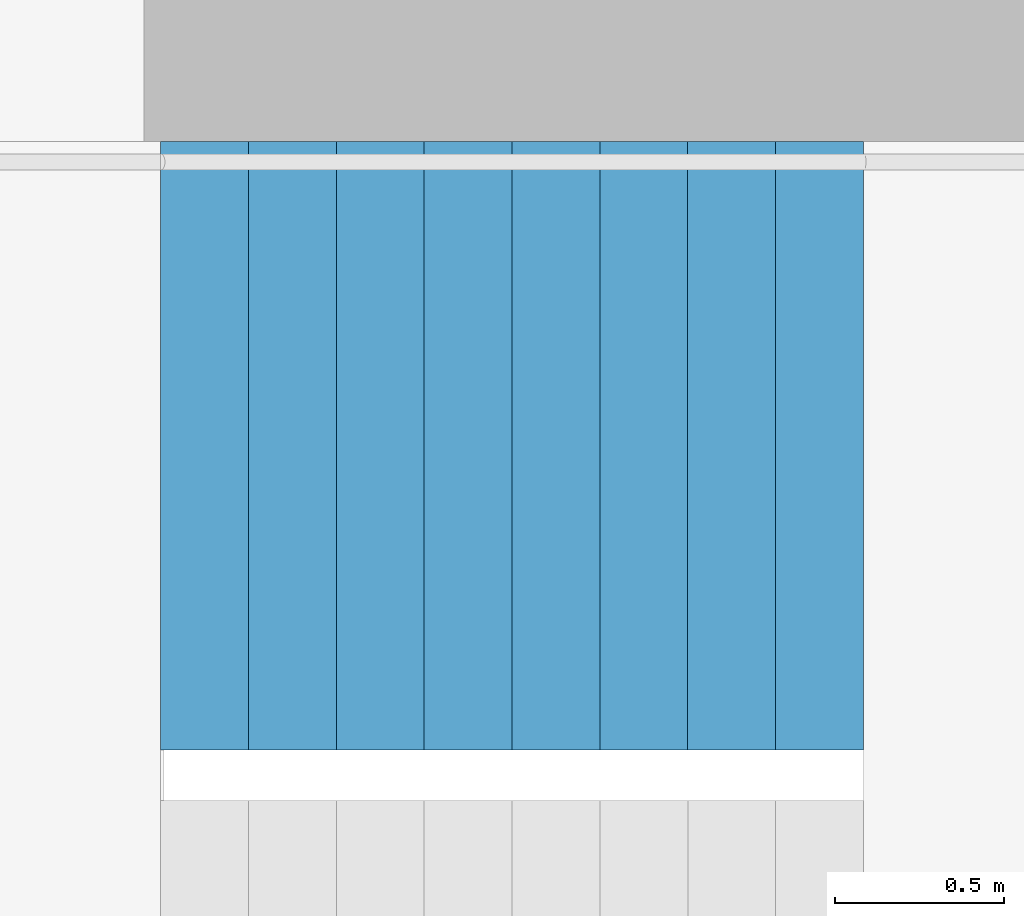
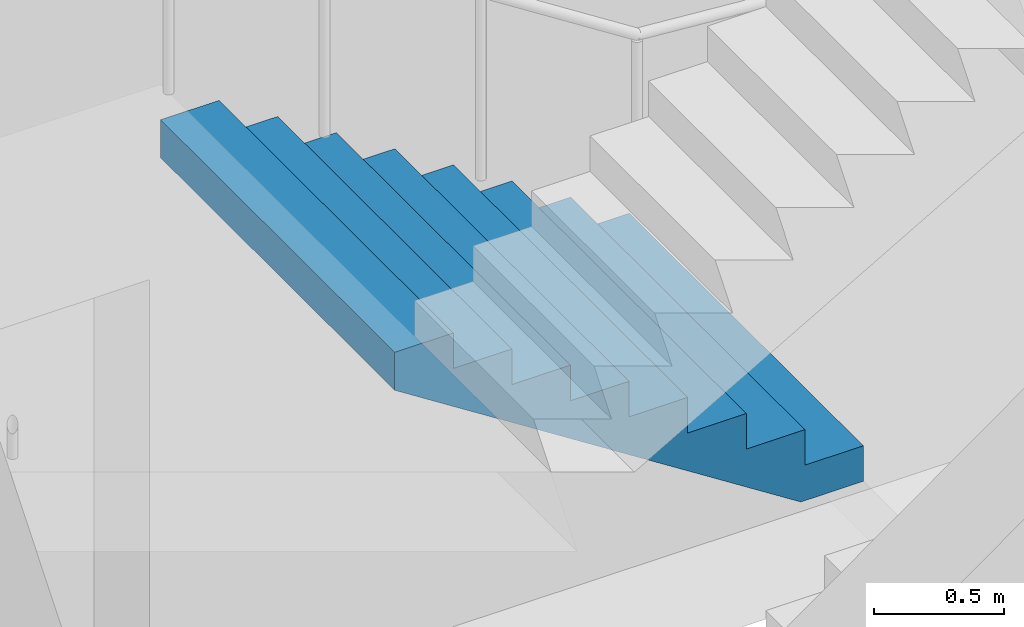
# One storey, part 24 of 35: 1 stair flight, 1 element without a shape of its own.
"""IFC4 building model written with IfcOpenShell, lengths in metres."""

from ifc_helpers import new_model, si_unit, direction, frame, origin, place, context, subcontext, project, spatial, triangles, material, type_object, element, aggregate, save


model = new_model("IFC4")

# Units and contexts
model_context = context("Model", 3, precision=1e-05, world=origin(), true_north=direction((0.0, 1.0)))
body_context = subcontext(model_context, "Body", "Model", "MODEL_VIEW")
ifc_project = project(units=[si_unit("LENGTHUNIT", "METRE"), si_unit("AREAUNIT", "SQUARE_METRE"), si_unit("VOLUMEUNIT", "CUBIC_METRE"), si_unit("PLANEANGLEUNIT", "RADIAN"), si_unit("MASSUNIT", "GRAM", prefix="KILO")], contexts=[model_context])

# Site, building, storey
site_placement = place(None, origin())
site = spatial("IfcSite", under=ifc_project, at=site_placement, CompositionType="ELEMENT")
building_placement = place(site_placement, origin())
building = spatial("IfcBuilding", under=site, at=building_placement, Name="Hakoniwa Tower and Hamabe Station Hall", CompositionType="ELEMENT")
storey_placement = place(building_placement, frame((0.0, 0.0, 270.60009765625)))
storey = spatial("IfcBuildingStorey", under=building, at=storey_placement, Name="L76", CompositionType="ELEMENT", Elevation=270.60009765625)

# Stair, stair flight
ifc_material_1 = material(Name="Concrete C40", Category="concrete")
stair_type = type_object("IfcStairType", Name="ESCAPE STAIR 1800", PredefinedType="HALF_TURN_STAIR", material=ifc_material_1)
stair_placement = place(storey_placement, origin())
stair = element("IfcStair", 1, at=stair_placement, inside=storey, type_object=stair_type, Name="Escape stair ST-1 L76", PredefinedType="HALF_TURN_STAIR")
ifc_material_2 = material(Name="Concrete C40", Category="concrete")
stair_flight_type = type_object("IfcStairFlightType", Name="STAIR FLIGHT 1800", PredefinedType="STRAIGHT", material=ifc_material_2)
stair_flight_placement = place(storey_placement, frame((-22.320068359375, 6.60009765625, 1.5), z_axis=(0.0, 0.0, 1.0), x_axis=(-1.0, 0.0, 0.0)))
stair_flight = element("IfcStairFlight", 2, at=stair_flight_placement, type_object=stair_flight_type, Name="ST-1 flight 2", NumberOfRisers=9, NumberOfTreads=8, PredefinedType="STRAIGHT", RiserHeight=0.166666667, TreadLength=0.26, context=body_context, shape_type="Tessellation", body=[
    triangles([(0.0, 0.89990234375, 0.0), (0.260009765625, 0.89990234375, 0.0), (0.27783203125, 0.89990234375, 0.0), (0.52001953125, 0.89990234375, 0.1552734375), (0.780029296875, 0.89990234375, 0.322021484375), (1.0400390625, 0.89990234375, 0.488525390625), (1.300048828125, 0.89990234375, 0.6552734375), (1.56005859375, 0.89990234375, 0.822021484375), (1.820068359375, 0.89990234375, 0.988525390625), (2.080078125, 0.89990234375, 1.1552734375), (2.080078125, 0.89990234375, 1.333251953125), (1.820068359375, 0.89990234375, 1.333251953125), (1.820068359375, 0.89990234375, 1.166748046875), (1.56005859375, 0.89990234375, 1.166748046875), (1.56005859375, 0.89990234375, 1.0), (1.300048828125, 0.89990234375, 1.0), (1.300048828125, 0.89990234375, 0.833251953125), (1.0400390625, 0.89990234375, 0.833251953125), (1.0400390625, 0.89990234375, 0.666748046875), (0.780029296875, 0.89990234375, 0.666748046875), (0.780029296875, 0.89990234375, 0.5), (0.52001953125, 0.89990234375, 0.5), (0.52001953125, 0.89990234375, 0.333251953125), (0.27783203125, 0.89990234375, 0.333251953125), (0.260009765625, 0.89990234375, 0.333251953125), (0.260009765625, 0.89990234375, 0.166748046875), (0.0, 0.89990234375, 0.166748046875), (0.0, 0.06005859375, 0.0), (0.260009765625, 0.06005859375, 0.0), (0.27783203125, 0.06005859375, 0.0), (0.52001953125, 0.06005859375, 0.1552734375), (0.780029296875, 0.06005859375, 0.322021484375), (1.0400390625, 0.06005859375, 0.488525390625), (1.300048828125, 0.06005859375, 0.6552734375), (1.56005859375, 0.06005859375, 0.822021484375), (1.820068359375, 0.06005859375, 0.988525390625), (2.080078125, 0.06005859375, 1.1552734375), (2.080078125, 0.06005859375, 1.333251953125), (1.820068359375, 0.06005859375, 1.333251953125), (1.820068359375, 0.06005859375, 1.166748046875), (1.56005859375, 0.06005859375, 1.166748046875), (1.56005859375, 0.06005859375, 1.0), (1.300048828125, 0.06005859375, 1.0), (1.300048828125, 0.06005859375, 0.833251953125), (1.0400390625, 0.06005859375, 0.833251953125), (1.0400390625, 0.06005859375, 0.666748046875), (0.780029296875, 0.06005859375, 0.666748046875), (0.780029296875, 0.06005859375, 0.5), (0.52001953125, 0.06005859375, 0.5), (0.52001953125, 0.06005859375, 0.333251953125), (0.27783203125, 0.06005859375, 0.333251953125), (0.260009765625, 0.06005859375, 0.333251953125), (0.260009765625, 0.06005859375, 0.166748046875), (0.0, 0.06005859375, 0.166748046875), (0.0, 0.04296875, 0.0), (0.260009765625, 0.04296875, 0.0), (0.27783203125, 0.04296875, 0.0), (0.52001953125, 0.04296875, 0.1552734375), (0.780029296875, 0.04296875, 0.322021484375), (1.0400390625, 0.04296875, 0.488525390625), (1.300048828125, 0.04296875, 0.6552734375), (1.56005859375, 0.04296875, 0.822021484375), (1.820068359375, 0.04296875, 0.988525390625), (2.080078125, 0.04296875, 1.1552734375), (2.080078125, 0.04296875, 1.333251953125), (1.820068359375, 0.04296875, 1.333251953125), (1.820068359375, 0.04296875, 1.166748046875), (1.56005859375, 0.04296875, 1.166748046875), (1.56005859375, 0.04296875, 1.0), (1.300048828125, 0.04296875, 1.0), (1.300048828125, 0.04296875, 0.833251953125), (1.0400390625, 0.04296875, 0.833251953125), (1.0400390625, 0.04296875, 0.666748046875), (0.780029296875, 0.04296875, 0.666748046875), (0.780029296875, 0.04296875, 0.5), (0.52001953125, 0.04296875, 0.5), (0.52001953125, 0.04296875, 0.333251953125), (0.27783203125, 0.04296875, 0.333251953125), (0.260009765625, 0.04296875, 0.333251953125), (0.260009765625, 0.04296875, 0.166748046875), (0.0, 0.04296875, 0.166748046875), (0.0, 0.025634765625, 0.0), (0.260009765625, 0.025634765625, 0.0), (0.27783203125, 0.025634765625, 0.0), (0.52001953125, 0.025634765625, 0.1552734375), (0.780029296875, 0.025634765625, 0.322021484375), (1.0400390625, 0.025634765625, 0.488525390625), (1.300048828125, 0.025634765625, 0.6552734375), (1.56005859375, 0.025634765625, 0.822021484375), (1.820068359375, 0.025634765625, 0.988525390625), (2.080078125, 0.025634765625, 1.1552734375), (2.080078125, 0.025634765625, 1.333251953125), (1.820068359375, 0.025634765625, 1.333251953125), (1.820068359375, 0.025634765625, 1.166748046875), (1.56005859375, 0.025634765625, 1.166748046875), (1.56005859375, 0.025634765625, 1.0), (1.300048828125, 0.025634765625, 1.0), (1.300048828125, 0.025634765625, 0.833251953125), (1.0400390625, 0.025634765625, 0.833251953125), (1.0400390625, 0.025634765625, 0.666748046875), (0.780029296875, 0.025634765625, 0.666748046875), (0.780029296875, 0.025634765625, 0.5), (0.52001953125, 0.025634765625, 0.5), (0.52001953125, 0.025634765625, 0.333251953125), (0.27783203125, 0.025634765625, 0.333251953125), (0.260009765625, 0.025634765625, 0.333251953125), (0.260009765625, 0.025634765625, 0.166748046875), (0.0, 0.025634765625, 0.166748046875), (0.0, 0.008544921875, 0.0), (0.260009765625, 0.008544921875, 0.0), (0.27783203125, 0.008544921875, 0.0), (0.52001953125, 0.008544921875, 0.1552734375), (0.780029296875, 0.008544921875, 0.322021484375), (1.0400390625, 0.008544921875, 0.488525390625), (1.300048828125, 0.008544921875, 0.6552734375), (1.56005859375, 0.008544921875, 0.822021484375), (1.820068359375, 0.008544921875, 0.988525390625), (2.080078125, 0.008544921875, 1.1552734375), (2.080078125, 0.008544921875, 1.333251953125), (1.820068359375, 0.008544921875, 1.333251953125), (1.820068359375, 0.008544921875, 1.166748046875), (1.56005859375, 0.008544921875, 1.166748046875), (1.56005859375, 0.008544921875, 1.0), (1.300048828125, 0.008544921875, 1.0), (1.300048828125, 0.008544921875, 0.833251953125), (1.0400390625, 0.008544921875, 0.833251953125), (1.0400390625, 0.008544921875, 0.666748046875), (0.780029296875, 0.008544921875, 0.666748046875), (0.780029296875, 0.008544921875, 0.5), (0.52001953125, 0.008544921875, 0.5), (0.52001953125, 0.008544921875, 0.333251953125), (0.27783203125, 0.008544921875, 0.333251953125), (0.260009765625, 0.008544921875, 0.333251953125), (0.260009765625, 0.008544921875, 0.166748046875), (0.0, 0.008544921875, 0.166748046875), (0.0, -0.008544921875, 0.0), (0.260009765625, -0.008544921875, 0.0), (0.27783203125, -0.008544921875, 0.0), (0.52001953125, -0.008544921875, 0.1552734375), (0.780029296875, -0.008544921875, 0.322021484375), (1.0400390625, -0.008544921875, 0.488525390625), (1.300048828125, -0.008544921875, 0.6552734375), (1.56005859375, -0.008544921875, 0.822021484375), (1.820068359375, -0.008544921875, 0.988525390625), (2.080078125, -0.008544921875, 1.1552734375), (2.080078125, -0.008544921875, 1.333251953125), (1.820068359375, -0.008544921875, 1.333251953125), (1.820068359375, -0.008544921875, 1.166748046875), (1.56005859375, -0.008544921875, 1.166748046875), (1.56005859375, -0.008544921875, 1.0), (1.300048828125, -0.008544921875, 1.0), (1.300048828125, -0.008544921875, 0.833251953125), (1.0400390625, -0.008544921875, 0.833251953125), (1.0400390625, -0.008544921875, 0.666748046875), (0.780029296875, -0.008544921875, 0.666748046875), (0.780029296875, -0.008544921875, 0.5), (0.52001953125, -0.008544921875, 0.5), (0.52001953125, -0.008544921875, 0.333251953125), (0.27783203125, -0.008544921875, 0.333251953125), (0.260009765625, -0.008544921875, 0.333251953125), (0.260009765625, -0.008544921875, 0.166748046875), (0.0, -0.008544921875, 0.166748046875), (0.0, -0.025634765625, 0.0), (0.260009765625, -0.025634765625, 0.0), (0.27783203125, -0.025634765625, 0.0), (0.52001953125, -0.025634765625, 0.1552734375), (0.780029296875, -0.025634765625, 0.322021484375), (1.0400390625, -0.025634765625, 0.488525390625), (1.300048828125, -0.025634765625, 0.6552734375), (1.56005859375, -0.025634765625, 0.822021484375), (1.820068359375, -0.025634765625, 0.988525390625), (2.080078125, -0.025634765625, 1.1552734375), (2.080078125, -0.025634765625, 1.333251953125), (1.820068359375, -0.025634765625, 1.333251953125), (1.820068359375, -0.025634765625, 1.166748046875), (1.56005859375, -0.025634765625, 1.166748046875), (1.56005859375, -0.025634765625, 1.0), (1.300048828125, -0.025634765625, 1.0), (1.300048828125, -0.025634765625, 0.833251953125), (1.0400390625, -0.025634765625, 0.833251953125), (1.0400390625, -0.025634765625, 0.666748046875), (0.780029296875, -0.025634765625, 0.666748046875), (0.780029296875, -0.025634765625, 0.5), (0.52001953125, -0.025634765625, 0.5), (0.52001953125, -0.025634765625, 0.333251953125), (0.27783203125, -0.025634765625, 0.333251953125), (0.260009765625, -0.025634765625, 0.333251953125), (0.260009765625, -0.025634765625, 0.166748046875), (0.0, -0.025634765625, 0.166748046875), (0.0, -0.04296875, 0.0), (0.260009765625, -0.04296875, 0.0), (0.27783203125, -0.04296875, 0.0), (0.52001953125, -0.04296875, 0.1552734375), (0.780029296875, -0.04296875, 0.322021484375), (1.0400390625, -0.04296875, 0.488525390625), (1.300048828125, -0.04296875, 0.6552734375), (1.56005859375, -0.04296875, 0.822021484375), (1.820068359375, -0.04296875, 0.988525390625), (2.080078125, -0.04296875, 1.1552734375), (2.080078125, -0.04296875, 1.333251953125), (1.820068359375, -0.04296875, 1.333251953125), (1.820068359375, -0.04296875, 1.166748046875), (1.56005859375, -0.04296875, 1.166748046875), (1.56005859375, -0.04296875, 1.0), (1.300048828125, -0.04296875, 1.0), (1.300048828125, -0.04296875, 0.833251953125), (1.0400390625, -0.04296875, 0.833251953125), (1.0400390625, -0.04296875, 0.666748046875), (0.780029296875, -0.04296875, 0.666748046875), (0.780029296875, -0.04296875, 0.5), (0.52001953125, -0.04296875, 0.5), (0.52001953125, -0.04296875, 0.333251953125), (0.27783203125, -0.04296875, 0.333251953125), (0.260009765625, -0.04296875, 0.333251953125), (0.260009765625, -0.04296875, 0.166748046875), (0.0, -0.04296875, 0.166748046875), (0.0, -0.06005859375, 0.0), (0.260009765625, -0.06005859375, 0.0), (0.27783203125, -0.06005859375, 0.0), (0.52001953125, -0.06005859375, 0.1552734375), (0.780029296875, -0.06005859375, 0.322021484375), (1.0400390625, -0.06005859375, 0.488525390625), (1.300048828125, -0.06005859375, 0.6552734375), (1.56005859375, -0.06005859375, 0.822021484375), (1.820068359375, -0.06005859375, 0.988525390625), (2.080078125, -0.06005859375, 1.1552734375), (2.080078125, -0.06005859375, 1.333251953125), (1.820068359375, -0.06005859375, 1.333251953125), (1.820068359375, -0.06005859375, 1.166748046875), (1.56005859375, -0.06005859375, 1.166748046875), (1.56005859375, -0.06005859375, 1.0), (1.300048828125, -0.06005859375, 1.0), (1.300048828125, -0.06005859375, 0.833251953125), (1.0400390625, -0.06005859375, 0.833251953125), (1.0400390625, -0.06005859375, 0.666748046875), (0.780029296875, -0.06005859375, 0.666748046875), (0.780029296875, -0.06005859375, 0.5), (0.52001953125, -0.06005859375, 0.5), (0.52001953125, -0.06005859375, 0.333251953125), (0.27783203125, -0.06005859375, 0.333251953125), (0.260009765625, -0.06005859375, 0.333251953125), (0.260009765625, -0.06005859375, 0.166748046875), (0.0, -0.06005859375, 0.166748046875), (0.0, -0.89990234375, 0.0), (0.260009765625, -0.89990234375, 0.0), (0.27783203125, -0.89990234375, 0.0), (0.52001953125, -0.89990234375, 0.1552734375), (0.780029296875, -0.89990234375, 0.322021484375), (1.0400390625, -0.89990234375, 0.488525390625), (1.300048828125, -0.89990234375, 0.6552734375), (1.56005859375, -0.89990234375, 0.822021484375), (1.820068359375, -0.89990234375, 0.988525390625), (2.080078125, -0.89990234375, 1.1552734375), (2.080078125, -0.89990234375, 1.333251953125), (1.820068359375, -0.89990234375, 1.333251953125), (1.820068359375, -0.89990234375, 1.166748046875), (1.56005859375, -0.89990234375, 1.166748046875), (1.56005859375, -0.89990234375, 1.0), (1.300048828125, -0.89990234375, 1.0), (1.300048828125, -0.89990234375, 0.833251953125), (1.0400390625, -0.89990234375, 0.833251953125), (1.0400390625, -0.89990234375, 0.666748046875), (0.780029296875, -0.89990234375, 0.666748046875), (0.780029296875, -0.89990234375, 0.5), (0.52001953125, -0.89990234375, 0.5), (0.52001953125, -0.89990234375, 0.333251953125), (0.27783203125, -0.89990234375, 0.333251953125), (0.260009765625, -0.89990234375, 0.333251953125), (0.260009765625, -0.89990234375, 0.166748046875), (0.0, -0.89990234375, 0.166748046875)], [[2, 27, 26], [245, 269, 270], [2, 1, 27], [245, 270, 244], [3, 25, 24], [246, 267, 268], [3, 26, 25], [246, 268, 269], [3, 2, 26], [246, 269, 245], [4, 24, 23], [247, 266, 267], [4, 3, 24], [247, 267, 246], [5, 22, 21], [248, 264, 265], [5, 23, 22], [248, 265, 266], [5, 4, 23], [248, 266, 247], [6, 20, 19], [249, 262, 263], [6, 21, 20], [249, 263, 264], [6, 5, 21], [249, 264, 248], [7, 18, 17], [250, 260, 261], [7, 19, 18], [250, 261, 262], [7, 6, 19], [250, 262, 249], [8, 16, 15], [251, 258, 259], [8, 17, 16], [251, 259, 260], [8, 7, 17], [251, 260, 250], [9, 14, 13], [252, 256, 257], [9, 15, 14], [252, 257, 258], [9, 8, 15], [252, 258, 251], [10, 12, 11], [253, 254, 255], [10, 13, 12], [253, 255, 256], [10, 9, 13], [253, 256, 252], [1, 2, 29], [1, 29, 28], [28, 29, 56], [28, 56, 55], [55, 56, 83], [55, 83, 82], [82, 83, 110], [82, 110, 109], [109, 110, 137], [109, 137, 136], [136, 137, 164], [136, 164, 163], [163, 164, 191], [163, 191, 190], [190, 191, 218], [190, 218, 217], [217, 218, 245], [217, 245, 244], [2, 3, 30], [2, 30, 29], [29, 30, 57], [29, 57, 56], [56, 57, 84], [56, 84, 83], [83, 84, 111], [83, 111, 110], [110, 111, 138], [110, 138, 137], [137, 138, 165], [137, 165, 164], [164, 165, 192], [164, 192, 191], [191, 192, 219], [191, 219, 218], [218, 219, 246], [218, 246, 245], [3, 4, 31], [3, 31, 30], [30, 31, 58], [30, 58, 57], [57, 58, 85], [57, 85, 84], [84, 85, 112], [84, 112, 111], [111, 112, 139], [111, 139, 138], [138, 139, 166], [138, 166, 165], [165, 166, 193], [165, 193, 192], [192, 193, 220], [192, 220, 219], [219, 220, 247], [219, 247, 246], [4, 5, 32], [4, 32, 31], [31, 32, 59], [31, 59, 58], [58, 59, 86], [58, 86, 85], [85, 86, 113], [85, 113, 112], [112, 113, 140], [112, 140, 139], [139, 140, 167], [139, 167, 166], [166, 167, 194], [166, 194, 193], [193, 194, 221], [193, 221, 220], [220, 221, 248], [220, 248, 247], [5, 6, 33], [5, 33, 32], [32, 33, 60], [32, 60, 59], [59, 60, 87], [59, 87, 86], [86, 87, 114], [86, 114, 113], [113, 114, 141], [113, 141, 140], [140, 141, 168], [140, 168, 167], [167, 168, 195], [167, 195, 194], [194, 195, 222], [194, 222, 221], [221, 222, 249], [221, 249, 248], [6, 7, 34], [6, 34, 33], [33, 34, 61], [33, 61, 60], [60, 61, 88], [60, 88, 87], [87, 88, 115], [87, 115, 114], [114, 115, 142], [114, 142, 141], [141, 142, 169], [141, 169, 168], [168, 169, 196], [168, 196, 195], [195, 196, 223], [195, 223, 222], [222, 223, 250], [222, 250, 249], [7, 8, 35], [7, 35, 34], [34, 35, 62], [34, 62, 61], [61, 62, 89], [61, 89, 88], [88, 89, 116], [88, 116, 115], [115, 116, 143], [115, 143, 142], [142, 143, 170], [142, 170, 169], [169, 170, 197], [169, 197, 196], [196, 197, 224], [196, 224, 223], [223, 224, 251], [223, 251, 250], [8, 9, 36], [8, 36, 35], [35, 36, 63], [35, 63, 62], [62, 63, 90], [62, 90, 89], [89, 90, 117], [89, 117, 116], [116, 117, 144], [116, 144, 143], [143, 144, 171], [143, 171, 170], [170, 171, 198], [170, 198, 197], [197, 198, 225], [197, 225, 224], [224, 225, 252], [224, 252, 251], [9, 10, 37], [9, 37, 36], [36, 37, 64], [36, 64, 63], [63, 64, 91], [63, 91, 90], [90, 91, 118], [90, 118, 117], [117, 118, 145], [117, 145, 144], [144, 145, 172], [144, 172, 171], [171, 172, 199], [171, 199, 198], [198, 199, 226], [198, 226, 225], [225, 226, 253], [225, 253, 252], [10, 11, 38], [10, 38, 37], [37, 38, 65], [37, 65, 64], [64, 65, 92], [64, 92, 91], [91, 92, 119], [91, 119, 118], [118, 119, 146], [118, 146, 145], [145, 146, 173], [145, 173, 172], [172, 173, 200], [172, 200, 199], [199, 200, 227], [199, 227, 226], [226, 227, 254], [226, 254, 253], [11, 12, 39], [11, 39, 38], [38, 39, 66], [38, 66, 65], [65, 66, 93], [65, 93, 92], [92, 93, 120], [92, 120, 119], [119, 120, 147], [119, 147, 146], [146, 147, 174], [146, 174, 173], [173, 174, 201], [173, 201, 200], [200, 201, 228], [200, 228, 227], [227, 228, 255], [227, 255, 254], [12, 13, 40], [12, 40, 39], [39, 40, 67], [39, 67, 66], [66, 67, 94], [66, 94, 93], [93, 94, 121], [93, 121, 120], [120, 121, 148], [120, 148, 147], [147, 148, 175], [147, 175, 174], [174, 175, 202], [174, 202, 201], [201, 202, 229], [201, 229, 228], [228, 229, 256], [228, 256, 255], [13, 14, 41], [13, 41, 40], [40, 41, 68], [40, 68, 67], [67, 68, 95], [67, 95, 94], [94, 95, 122], [94, 122, 121], [121, 122, 149], [121, 149, 148], [148, 149, 176], [148, 176, 175], [175, 176, 203], [175, 203, 202], [202, 203, 230], [202, 230, 229], [229, 230, 257], [229, 257, 256], [14, 15, 42], [14, 42, 41], [41, 42, 69], [41, 69, 68], [68, 69, 96], [68, 96, 95], [95, 96, 123], [95, 123, 122], [122, 123, 150], [122, 150, 149], [149, 150, 177], [149, 177, 176], [176, 177, 204], [176, 204, 203], [203, 204, 231], [203, 231, 230], [230, 231, 258], [230, 258, 257], [15, 16, 43], [15, 43, 42], [42, 43, 70], [42, 70, 69], [69, 70, 97], [69, 97, 96], [96, 97, 124], [96, 124, 123], [123, 124, 151], [123, 151, 150], [150, 151, 178], [150, 178, 177], [177, 178, 205], [177, 205, 204], [204, 205, 232], [204, 232, 231], [231, 232, 259], [231, 259, 258], [16, 17, 44], [16, 44, 43], [43, 44, 71], [43, 71, 70], [70, 71, 98], [70, 98, 97], [97, 98, 125], [97, 125, 124], [124, 125, 152], [124, 152, 151], [151, 152, 179], [151, 179, 178], [178, 179, 206], [178, 206, 205], [205, 206, 233], [205, 233, 232], [232, 233, 260], [232, 260, 259], [17, 18, 45], [17, 45, 44], [44, 45, 72], [44, 72, 71], [71, 72, 99], [71, 99, 98], [98, 99, 126], [98, 126, 125], [125, 126, 153], [125, 153, 152], [152, 153, 180], [152, 180, 179], [179, 180, 207], [179, 207, 206], [206, 207, 234], [206, 234, 233], [233, 234, 261], [233, 261, 260], [18, 19, 46], [18, 46, 45], [45, 46, 73], [45, 73, 72], [72, 73, 100], [72, 100, 99], [99, 100, 127], [99, 127, 126], [126, 127, 154], [126, 154, 153], [153, 154, 181], [153, 181, 180], [180, 181, 208], [180, 208, 207], [207, 208, 235], [207, 235, 234], [234, 235, 262], [234, 262, 261], [19, 20, 47], [19, 47, 46], [46, 47, 74], [46, 74, 73], [73, 74, 101], [73, 101, 100], [100, 101, 128], [100, 128, 127], [127, 128, 155], [127, 155, 154], [154, 155, 182], [154, 182, 181], [181, 182, 209], [181, 209, 208], [208, 209, 236], [208, 236, 235], [235, 236, 263], [235, 263, 262], [20, 21, 48], [20, 48, 47], [47, 48, 75], [47, 75, 74], [74, 75, 102], [74, 102, 101], [101, 102, 129], [101, 129, 128], [128, 129, 156], [128, 156, 155], [155, 156, 183], [155, 183, 182], [182, 183, 210], [182, 210, 209], [209, 210, 237], [209, 237, 236], [236, 237, 264], [236, 264, 263], [21, 22, 49], [21, 49, 48], [48, 49, 76], [48, 76, 75], [75, 76, 103], [75, 103, 102], [102, 103, 130], [102, 130, 129], [129, 130, 157], [129, 157, 156], [156, 157, 184], [156, 184, 183], [183, 184, 211], [183, 211, 210], [210, 211, 238], [210, 238, 237], [237, 238, 265], [237, 265, 264], [22, 23, 50], [22, 50, 49], [49, 50, 77], [49, 77, 76], [76, 77, 104], [76, 104, 103], [103, 104, 131], [103, 131, 130], [130, 131, 158], [130, 158, 157], [157, 158, 185], [157, 185, 184], [184, 185, 212], [184, 212, 211], [211, 212, 239], [211, 239, 238], [238, 239, 266], [238, 266, 265], [23, 24, 51], [23, 51, 50], [50, 51, 78], [50, 78, 77], [77, 78, 105], [77, 105, 104], [104, 105, 132], [104, 132, 131], [131, 132, 159], [131, 159, 158], [158, 159, 186], [158, 186, 185], [185, 186, 213], [185, 213, 212], [212, 213, 240], [212, 240, 239], [239, 240, 267], [239, 267, 266], [24, 25, 52], [24, 52, 51], [51, 52, 79], [51, 79, 78], [78, 79, 106], [78, 106, 105], [105, 106, 133], [105, 133, 132], [132, 133, 160], [132, 160, 159], [159, 160, 187], [159, 187, 186], [186, 187, 214], [186, 214, 213], [213, 214, 241], [213, 241, 240], [240, 241, 268], [240, 268, 267], [25, 26, 53], [25, 53, 52], [52, 53, 80], [52, 80, 79], [79, 80, 107], [79, 107, 106], [106, 107, 134], [106, 134, 133], [133, 134, 161], [133, 161, 160], [160, 161, 188], [160, 188, 187], [187, 188, 215], [187, 215, 214], [214, 215, 242], [214, 242, 241], [241, 242, 269], [241, 269, 268], [26, 27, 54], [26, 54, 53], [53, 54, 81], [53, 81, 80], [80, 81, 108], [80, 108, 107], [107, 108, 135], [107, 135, 134], [134, 135, 162], [134, 162, 161], [161, 162, 189], [161, 189, 188], [188, 189, 216], [188, 216, 215], [215, 216, 243], [215, 243, 242], [242, 243, 270], [242, 270, 269], [27, 1, 28], [27, 28, 54], [54, 28, 55], [54, 55, 81], [81, 55, 82], [81, 82, 108], [108, 82, 109], [108, 109, 135], [135, 109, 136], [135, 136, 162], [162, 136, 163], [162, 163, 189], [189, 163, 190], [189, 190, 216], [216, 190, 217], [216, 217, 243], [243, 217, 244], [243, 244, 270]], closed=True),
])
aggregate(stair, [stair_flight])

save(model, "model.ifc")
